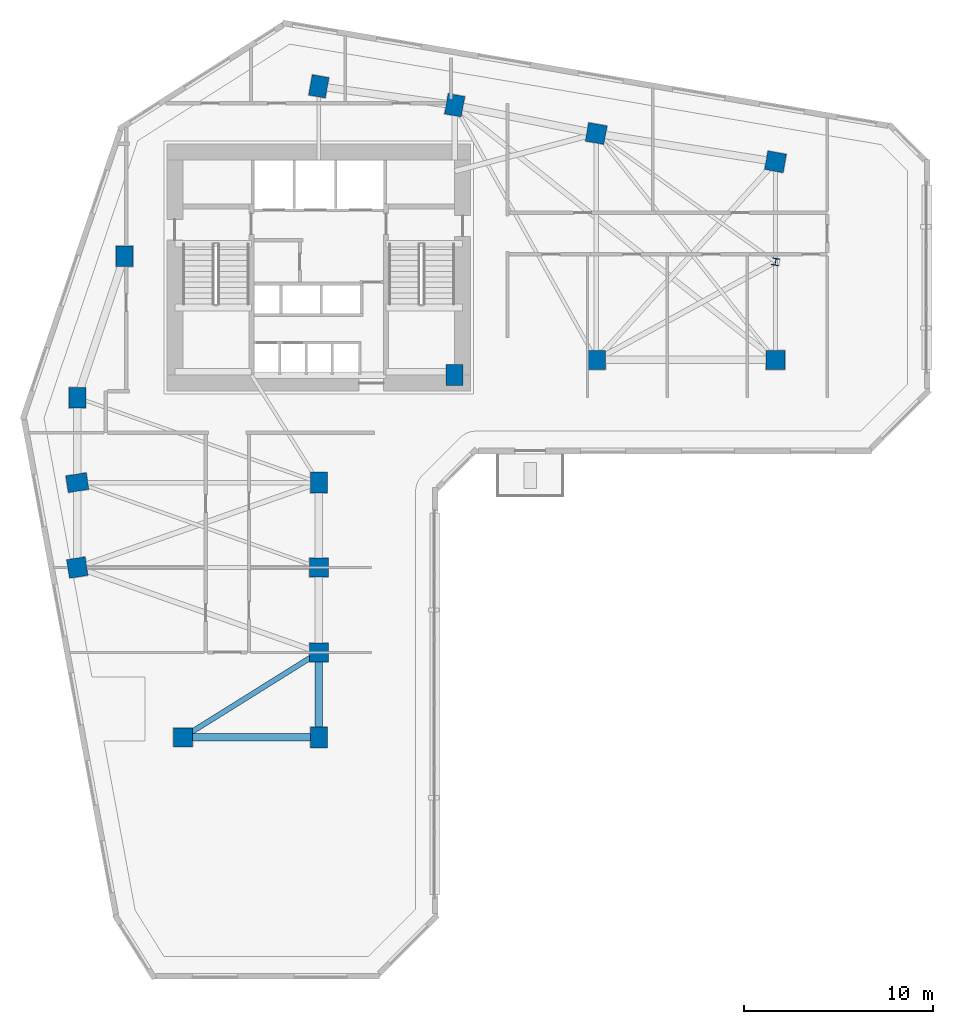
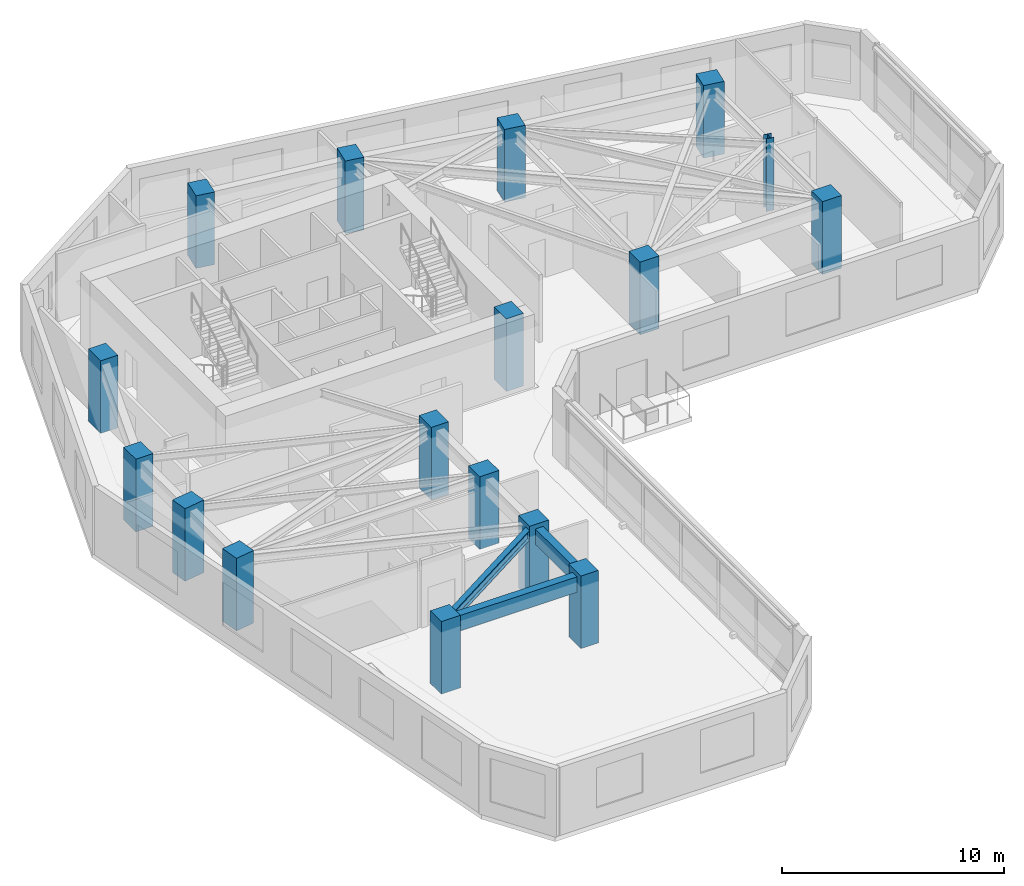
# One storey, part 1 of 10: 17 columns, 3 beams.
"""IFC4 building model written with IfcOpenShell, lengths in metres."""

from ifc_helpers import new_model, si_unit, direction, frame, origin, origin_2d, place, context, subcontext, project, spatial, rectangle, i_section, extrude, source, transform, mapped, material, material_profile, profile_set, type_object, element, save


model = new_model("IFC4")

# Units and contexts
model_context = context("Model", 3, precision=1e-05, world=origin(), true_north=direction((0.0, 1.0)))
body_context = subcontext(model_context, "Body", "Model", "MODEL_VIEW")
ifc_project = project(units=[si_unit("LENGTHUNIT", "METRE"), si_unit("AREAUNIT", "SQUARE_METRE"), si_unit("VOLUMEUNIT", "CUBIC_METRE"), si_unit("PLANEANGLEUNIT", "RADIAN"), si_unit("MASSUNIT", "GRAM", prefix="KILO")], contexts=[model_context])

# Site, building, storey
site_placement = place(None, origin())
site = spatial("IfcSite", under=ifc_project, at=site_placement, CompositionType="ELEMENT")
building_placement = place(site_placement, origin())
building = spatial("IfcBuilding", under=site, at=building_placement, Name="Calvemar Wedge Station Tower", CompositionType="ELEMENT")
storey_placement = place(building_placement, frame((0.0, 0.0, 87.0)))
storey = spatial("IfcBuildingStorey", under=building, at=storey_placement, Name="L21", CompositionType="ELEMENT", Elevation=87.0)

# Columns
ifc_material_1 = material(Name="Concrete C70", Category="concrete")
ifc_material_profile_1 = material_profile(ifc_material_1, rectangle(XDim=0.89990234375, YDim=1.10009765625, at=origin_2d()), Name="RC1100x900")
ifc_profile_set_1 = profile_set([ifc_material_profile_1], Name="Concrete C70")
column_type_1 = type_object("IfcColumnType", Name="COL-C3-1100x900", PredefinedType="COLUMN", material=ifc_profile_set_1)
shared_shape_1 = source(origin(), body_context, "Body", "SweptSolid", [
    extrude(rectangle(XDim=0.89990234375, YDim=1.10009765625, at=origin_2d()), origin(), (0.0, 0.0, 1.0), 4.0),
])
for number, where, z_axis, x_axis, name in (
    (1, (11.0, 33.0, 0.0), (0.0, 0.0, 1.0), (1.0, 0.0, 0.0), "Storey L21 Column T-NW1"),
    (2, (13.5, 40.5, 0.0), (0.0, 0.0, 1.0), (1.0, 0.0, 0.0), "Storey L21 Column T-NW2"),
    (3, (23.800048828125, 49.5, 0.0), (0.0, 0.0, 1.0), (0.984195607969, -0.17708474032, 0.0), "Storey L21 Column T-N1"),
    (4, (31.0, 48.5, 0.0), (0.0, 0.0, 1.0), (0.984195607969, -0.17708474032, 0.0), "Storey L21 Column T-N2"),
    (5, (31.0, 34.199951171875, 0.0), (0.0, 0.0, 1.0), (1.0, 0.0, 0.0), "Storey L21 Column T-NL1"),
    (6, (11.0, 28.5, 0.0), (0.0, 0.0, 1.0), (0.158158067254, -0.987413806751, 0.0), "Storey L21 Column T-SW1"),
    (7, (23.800048828125, 28.5, 0.0), (0.0, 0.0, 1.0), (1.0, 0.0, 0.0), "Storey L21 Column T-SE1"),
    (8, (23.800048828125, 15.0, 0.0), (0.0, 0.0, 1.0), (1.0, 0.0, 0.0), "Storey L21 Column T-SE4"),
):
    element("IfcColumn", number, at=place(storey_placement, frame(where, z_axis=z_axis, x_axis=x_axis)), inside=storey, type_object=column_type_1, Name=name, PredefinedType="COLUMN", context=body_context, shape_type="MappedRepresentation", body=[
        mapped(shared_shape_1, transform((0.0, 0.0, 0.0), scale=1.0)),
    ])
ifc_material_2 = material(Name="Concrete C60", Category="concrete")
ifc_material_profile_2 = material_profile(ifc_material_2, rectangle(XDim=1.0, YDim=1.0, at=origin_2d()), Name="RC1000x1000")
ifc_profile_set_2 = profile_set([ifc_material_profile_2], Name="Concrete C60")
column_type_2 = type_object("IfcColumnType", Name="COL-C4-1000", PredefinedType="COLUMN", material=ifc_profile_set_2)
shared_shape_2 = source(origin(), body_context, "Body", "SweptSolid", [
    extrude(rectangle(XDim=1.0, YDim=1.0, at=origin_2d()), origin(), (0.0, 0.0, 1.0), 4.0),
])
for number, where, z_axis, x_axis, name in (
    (9, (38.5, 47.0, 0.0), (0.0, 0.0, 1.0), (0.984195607969, -0.17708474032, 0.0), "Storey L21 Column T-NU3"),
    (10, (48.0, 45.5, 0.0), (0.0, 0.0, 1.0), (0.984195607969, -0.17708474032, 0.0), "Storey L21 Column T-NU4"),
    (11, (38.5, 35.0, 0.0), (0.0, 0.0, 1.0), (1.0, 0.0, 0.0), "Storey L21 Column T-NL2"),
    (12, (48.0, 35.0, 0.0), (0.0, 0.0, 1.0), (1.0, 0.0, 0.0), "Storey L21 Column T-NL3"),
    (13, (11.0, 24.0, 0.0), (0.0, 0.0, 1.0), (0.158158067254, -0.987413806751, 0.0), "Storey L21 Column T-SW2"),
    (14, (23.800048828125, 24.0, 0.0), (0.0, 0.0, 1.0), (1.0, 0.0, 0.0), "Storey L21 Column T-SE2"),
    (15, (23.800048828125, 19.5, 0.0), (0.0, 0.0, 1.0), (1.0, 0.0, 0.0), "Storey L21 Column T-SE3"),
    (16, (16.60009765625, 15.0, 0.0), (0.0, 0.0, 1.0), (1.0, 0.0, 0.0), "Storey L21 Column T-SM1"),
):
    element("IfcColumn", number, at=place(storey_placement, frame(where, z_axis=z_axis, x_axis=x_axis)), inside=storey, type_object=column_type_2, Name=name, PredefinedType="COLUMN", context=body_context, shape_type="MappedRepresentation", body=[
        mapped(shared_shape_2, transform((0.0, 0.0, 0.0), scale=1.0)),
    ])
ifc_material_3 = material(Name="Structural steel ASTM A572 Grade 50", Category="steel")
ifc_material_profile_3 = material_profile(ifc_material_3, i_section(OverallWidth=0.3740234375, OverallDepth=0.3720703125, WebThickness=0.016357421875, FlangeThickness=0.026123046875, FilletRadius=0.014892578125, at=origin_2d()), Name="W360x196")
ifc_profile_set_3 = profile_set([ifc_material_profile_3], Name="Structural steel ASTM A572 Grade 50")
column_type_3 = type_object("IfcColumnType", Name="COL-STL-W360", PredefinedType="COLUMN", material=ifc_profile_set_3)
shared_shape_3 = source(origin(), body_context, "Body", "SweptSolid", [
    extrude(i_section(OverallWidth=0.3740234375, OverallDepth=0.3720703125, WebThickness=0.016357421875, FlangeThickness=0.026123046875, FilletRadius=0.014892578125, at=origin_2d()), origin(), (0.0, 0.0, 1.0), 4.0),
])
column_placement = place(storey_placement, frame((48.0, 40.199951171875, 0.0), z_axis=(0.0, 0.0, 1.0), x_axis=(0.984195607969, -0.17708474032, 0.0)))
element("IfcColumn", 17, at=column_placement, inside=storey, type_object=column_type_3, Name="Storey L21 Column T-NTIP-A", PredefinedType="COLUMN", context=body_context, shape_type="MappedRepresentation", body=[
    mapped(shared_shape_3, transform((0.0, 0.0, 0.0), scale=1.0)),
])

# Beams
ifc_material_profile_4 = material_profile(ifc_material_2, rectangle(XDim=0.39990234375, YDim=0.85009765625, at=origin_2d()), Name="RC400x850")
ifc_profile_set_4 = profile_set([ifc_material_profile_4], Name="Concrete C60")
beam_type_1 = type_object("IfcBeamType", Name="BM-SP1-850", PredefinedType="SPANDREL", material=ifc_profile_set_4)
shared_shape_4 = source(origin(), body_context, "Body", "SweptSolid", [
    extrude(rectangle(XDim=0.39990234375, YDim=0.85009765625, at=origin_2d()), origin(), (0.0, 0.0, 1.0), 4.5),
])
beam_1_placement = place(storey_placement, frame((23.800048828125, 19.5, 3.324951171875), z_axis=(0.0, -1.0, 0.0), x_axis=(1.0, 0.0, 0.0)))
element("IfcBeam", 18, at=beam_1_placement, inside=storey, type_object=beam_type_1, Name="Storey L21 Spandrel T-SE3-T-SE4", PredefinedType="SPANDREL", context=body_context, shape_type="MappedRepresentation", body=[
    mapped(shared_shape_4, transform((0.0, 0.0, 0.0), scale=1.0)),
])
shared_shape_5 = source(origin(), body_context, "Body", "SweptSolid", [
    extrude(rectangle(XDim=0.39990234375, YDim=0.85009765625, at=origin_2d()), origin(), (0.0, 0.0, 1.0), 7.199951171875),
])
beam_2_placement = place(storey_placement, frame((16.60009765625, 15.0, 3.324951171875), z_axis=(1.0, 0.0, 0.0), x_axis=(0.0, 1.0, 0.0)))
element("IfcBeam", 19, at=beam_2_placement, inside=storey, type_object=beam_type_1, Name="Storey L21 Spandrel T-SM1-T-SE4", PredefinedType="SPANDREL", context=body_context, shape_type="MappedRepresentation", body=[
    mapped(shared_shape_5, transform((0.0, 0.0, 0.0), scale=1.0)),
])
ifc_material_profile_5 = material_profile(ifc_material_3, i_section(OverallWidth=0.279052734375, OverallDepth=0.553955078125, WebThickness=0.017578125, FlangeThickness=0.029541015625, FilletRadius=0.014892578125, at=origin_2d()), Name="W530x196")
ifc_profile_set_5 = profile_set([ifc_material_profile_5], Name="Structural steel ASTM A572 Grade 50")
beam_type_2 = type_object("IfcBeamType", Name="BM-SB3-W530H", PredefinedType="BEAM", material=ifc_profile_set_5)
shared_shape_6 = source(origin(), body_context, "Body", "SweptSolid", [
    extrude(i_section(OverallWidth=0.279052734375, OverallDepth=0.553955078125, WebThickness=0.017578125, FlangeThickness=0.029541015625, FilletRadius=0.014892578125, at=origin_2d()), origin(), (0.0, 0.0, 1.0), 8.490478515625),
])
beam_3_placement = place(storey_placement, frame((23.800048828125, 19.5, 3.472900390625), z_axis=(-0.847996688584, -0.530001524668, 0.0), x_axis=(0.530001524668, -0.847996688584, 0.0)))
element("IfcBeam", 20, at=beam_3_placement, inside=storey, type_object=beam_type_2, Name="Storey L21 Floor Beam T-SE3-T-SM1", PredefinedType="BEAM", context=body_context, shape_type="MappedRepresentation", body=[
    mapped(shared_shape_6, transform((0.0, 0.0, 0.0), scale=1.0)),
])

save(model, "model.ifc")
